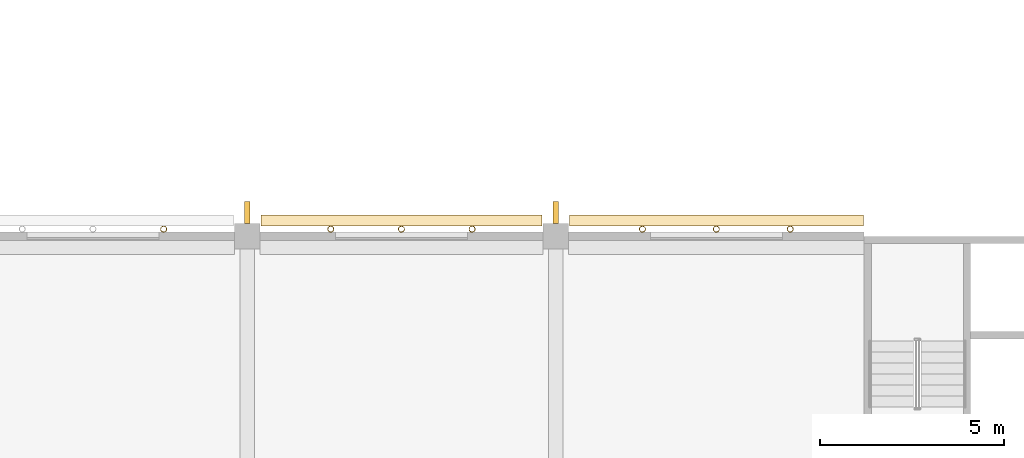
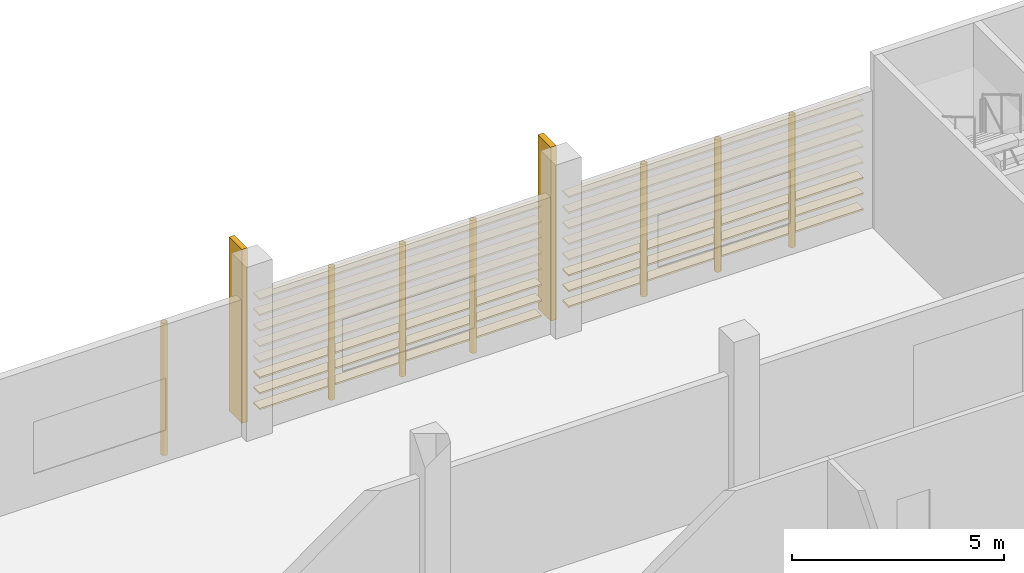
# One storey, part 51 of 82: 16 coverings, 9 shading devices.
"""IFC4 building model written with IfcOpenShell, lengths in metres."""

from ifc_helpers import new_model, si_unit, direction, frame, origin, origin_2d, place, context, subcontext, project, spatial, rectangle, hollow_circle, extrude, material, material_profile, profile_set, type_object, element, save


model = new_model("IFC4")

# Units and contexts
model_context = context("Model", 3, precision=1e-05, world=origin(), true_north=direction((0.0, 1.0)))
body_context = subcontext(model_context, "Body", "Model", "MODEL_VIEW")
ifc_project = project(units=[si_unit("LENGTHUNIT", "METRE"), si_unit("AREAUNIT", "SQUARE_METRE"), si_unit("VOLUMEUNIT", "CUBIC_METRE"), si_unit("PLANEANGLEUNIT", "RADIAN"), si_unit("MASSUNIT", "GRAM", prefix="KILO")], contexts=[model_context])

# Site, building, storey
site_placement = place(None, origin())
site = spatial("IfcSite", under=ifc_project, at=site_placement, CompositionType="ELEMENT")
building_placement = place(site_placement, origin())
building = spatial("IfcBuilding", under=site, at=building_placement, Name="Almond Square Museum", CompositionType="ELEMENT")
storey_placement = place(building_placement, frame((0.0, 0.0, 20.0)))
storey = spatial("IfcBuildingStorey", under=building, at=storey_placement, Name="L03", CompositionType="ELEMENT", Elevation=20.0)

# Shading devices
ifc_material_1 = material(Name="Structural steel S355", Category="steel")
ifc_material_profile_1 = material_profile(ifc_material_1, hollow_circle(Radius=0.084228515625, WallThickness=0.008056640625, at=origin_2d()))
ifc_profile_set_1 = profile_set([ifc_material_profile_1], Name="Structural steel S355")
shading_device_type_1 = type_object("IfcShadingDeviceType", Name="Louvre post CHS 168.3 x 8", PredefinedType="USERDEFINED", material=ifc_profile_set_1)
for number, where, z_axis, x_axis, name in (
    (1, (50.362548828125, 16.994140625, 0.0), (0.0, 0.0, 1.0), (1.0, 0.0, 0.0), "Louvre screen post"),
    (2, (52.375, 16.994140625, 0.0), (0.0, 0.0, 1.0), (1.0, 0.0, 0.0), "Louvre screen post"),
    (3, (54.387451171875, 16.994140625, 0.0), (0.0, 0.0, 1.0), (1.0, 0.0, 0.0), "Louvre screen post"),
    (4, (41.875, 16.994140625, 0.0), (0.0, 0.0, 1.0), (1.0, 0.0, 0.0), "Louvre screen post"),
    (5, (43.800048828125, 16.994140625, 0.0), (0.0, 0.0, 1.0), (1.0, 0.0, 0.0), "Louvre screen post"),
    (6, (45.72509765625, 16.994140625, 0.0), (0.0, 0.0, 1.0), (1.0, 0.0, 0.0), "Louvre screen post"),
    (7, (37.324951171875, 16.994140625, 0.0), (0.0, 0.0, 1.0), (1.0, 0.0, 0.0), "Louvre screen post"),
):
    element("IfcShadingDevice", number, at=place(storey_placement, frame(where, z_axis=z_axis, x_axis=x_axis)), inside=storey, type_object=shading_device_type_1, Name=name, ObjectType="POST", PredefinedType="USERDEFINED", context=body_context, shape_type="SweptSolid", body=[
        extrude(hollow_circle(Radius=0.084228515625, WallThickness=0.008056640625, at=origin_2d()), origin(), (0.0, 0.0, 1.0), 3.800048828125),
    ])

# Coverings
ifc_material_2 = material(Name="Cedar timber louvre board", Category="wood")
ifc_material_profile_2 = material_profile(ifc_material_2, rectangle(XDim=0.300048828125, YDim=0.050048828125, at=origin_2d()))
ifc_profile_set_2 = profile_set([ifc_material_profile_2], Name="Cedar timber louvre board")
covering_type = type_object("IfcCoveringType", Name="Louvre screen board 300 x 50", PredefinedType="CLADDING", material=ifc_profile_set_2)
for number, where, z_axis, x_axis, name in (
    (8, (48.3701171875, 17.224365234375, 0.300048828125), (1.0, 0.0, 0.0), (0.0, 1.0, 0.0), "Louvre screen board"),
    (9, (48.3701171875, 17.224365234375, 0.75), (1.0, 0.0, 0.0), (0.0, 1.0, 0.0), "Louvre screen board"),
    (10, (48.3701171875, 17.224365234375, 1.199951171875), (1.0, 0.0, 0.0), (0.0, 1.0, 0.0), "Louvre screen board"),
    (11, (48.3701171875, 17.224365234375, 1.64990234375), (1.0, 0.0, 0.0), (0.0, 1.0, 0.0), "Louvre screen board"),
    (12, (48.3701171875, 17.224365234375, 2.10009765625), (1.0, 0.0, 0.0), (0.0, 1.0, 0.0), "Louvre screen board"),
    (13, (48.3701171875, 17.224365234375, 2.550048828125), (1.0, 0.0, 0.0), (0.0, 1.0, 0.0), "Louvre screen board"),
    (14, (48.3701171875, 17.224365234375, 3.0), (1.0, 0.0, 0.0), (0.0, 1.0, 0.0), "Louvre screen board"),
    (15, (48.3701171875, 17.224365234375, 3.449951171875), (1.0, 0.0, 0.0), (0.0, 1.0, 0.0), "Louvre screen board"),
):
    element("IfcCovering", number, at=place(storey_placement, frame(where, z_axis=z_axis, x_axis=x_axis)), inside=storey, type_object=covering_type, Name=name, PredefinedType="CLADDING", context=body_context, shape_type="SweptSolid", body=[
        extrude(rectangle(XDim=0.300048828125, YDim=0.050048828125, at=origin_2d()), origin(), (0.0, 0.0, 1.0), 8.009765625),
    ])
for number, where, z_axis, x_axis, name in (
    (16, (39.969970703125, 17.224365234375, 0.300048828125), (1.0, 0.0, 0.0), (0.0, 1.0, 0.0), "Louvre screen board"),
    (17, (39.969970703125, 17.224365234375, 0.75), (1.0, 0.0, 0.0), (0.0, 1.0, 0.0), "Louvre screen board"),
    (18, (39.969970703125, 17.224365234375, 1.199951171875), (1.0, 0.0, 0.0), (0.0, 1.0, 0.0), "Louvre screen board"),
    (19, (39.969970703125, 17.224365234375, 1.64990234375), (1.0, 0.0, 0.0), (0.0, 1.0, 0.0), "Louvre screen board"),
    (20, (39.969970703125, 17.224365234375, 2.10009765625), (1.0, 0.0, 0.0), (0.0, 1.0, 0.0), "Louvre screen board"),
    (21, (39.969970703125, 17.224365234375, 2.550048828125), (1.0, 0.0, 0.0), (0.0, 1.0, 0.0), "Louvre screen board"),
    (22, (39.969970703125, 17.224365234375, 3.0), (1.0, 0.0, 0.0), (0.0, 1.0, 0.0), "Louvre screen board"),
    (23, (39.969970703125, 17.224365234375, 3.449951171875), (1.0, 0.0, 0.0), (0.0, 1.0, 0.0), "Louvre screen board"),
):
    element("IfcCovering", number, at=place(storey_placement, frame(where, z_axis=z_axis, x_axis=x_axis)), inside=storey, type_object=covering_type, Name=name, PredefinedType="CLADDING", context=body_context, shape_type="SweptSolid", body=[
        extrude(rectangle(XDim=0.300048828125, YDim=0.050048828125, at=origin_2d()), origin(), (0.0, 0.0, 1.0), 7.659912109375),
    ])

# Shading devices
ifc_material_3 = material(Name="Cedar timber fin", Category="wood")
shading_device_type_2 = type_object("IfcShadingDeviceType", Name="Timber storm fin 150 x 600", PredefinedType="USERDEFINED", material=ifc_material_3)
for number, where, z_axis, x_axis, name in (
    (24, (39.60009765625, 17.449951171875, 0.0), (0.0, 0.0, 1.0), (1.0, 0.0, 0.0), "Timber storm fin"),
    (25, (48.0, 17.449951171875, 0.0), (0.0, 0.0, 1.0), (1.0, 0.0, 0.0), "Timber storm fin"),
):
    element("IfcShadingDevice", number, at=place(storey_placement, frame(where, z_axis=z_axis, x_axis=x_axis)), inside=storey, type_object=shading_device_type_2, Name=name, ObjectType="FIN", PredefinedType="USERDEFINED", context=body_context, shape_type="SweptSolid", body=[
        extrude(rectangle(XDim=0.14990234375, YDim=0.60009765625, at=origin_2d()), origin(), (0.0, 0.0, 1.0), 5.0),
    ])

save(model, "model.ifc")
